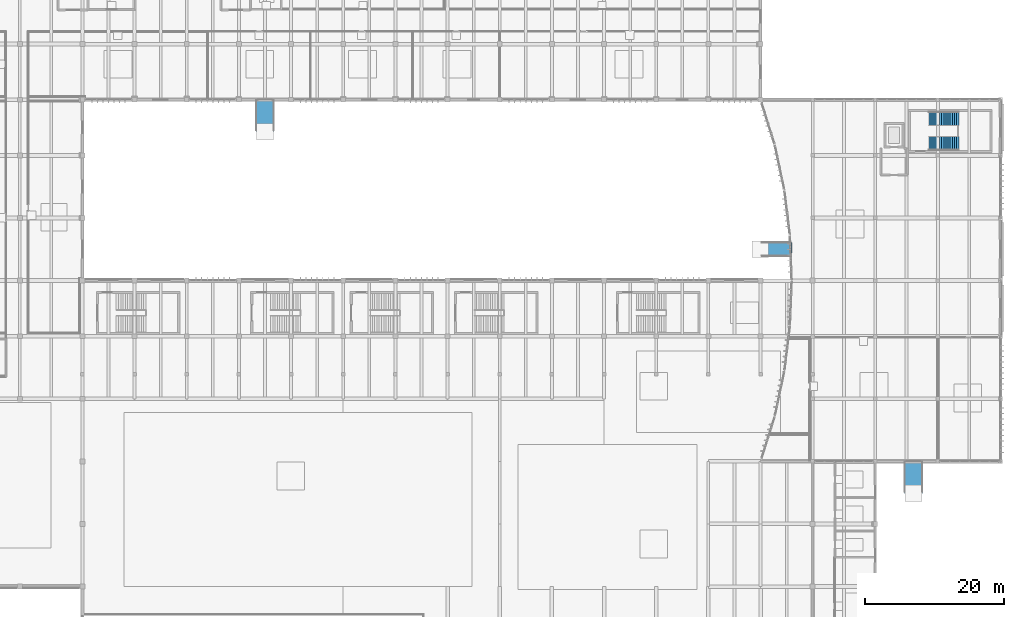
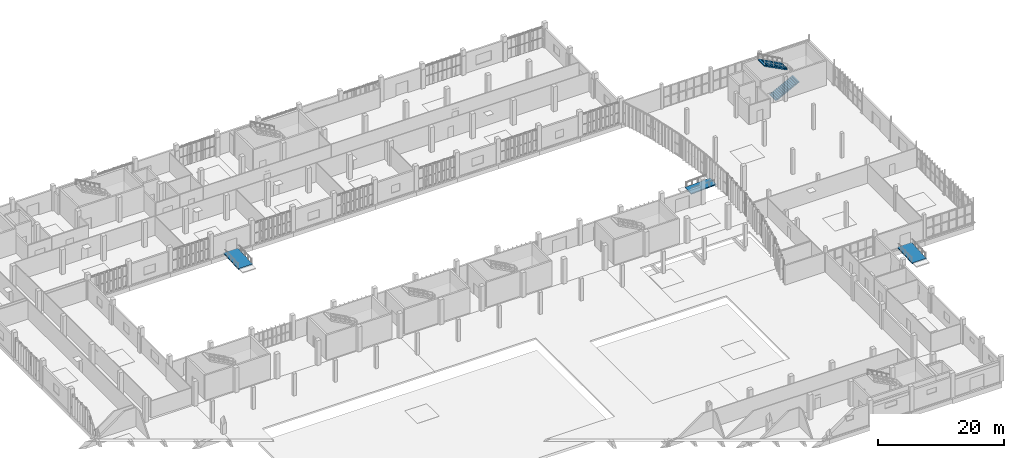
# One storey, part 54 of 72: 3 ramp flights, 2 stair flights, 4 elements without a shape of their own.
"""IFC4 building model written with IfcOpenShell, lengths in metres."""

from ifc_helpers import new_model, si_unit, direction, frame, origin, place, context, subcontext, project, spatial, polyline, outline, extrude, material, layer, layer_set, type_object, element, aggregate, save


model = new_model("IFC4")

# Units and contexts
model_context = context("Model", 3, precision=1e-05, world=origin(), true_north=direction((0.0, 1.0)))
body_context = subcontext(model_context, "Body", "Model", "MODEL_VIEW")
ifc_project = project(units=[si_unit("LENGTHUNIT", "METRE"), si_unit("AREAUNIT", "SQUARE_METRE"), si_unit("VOLUMEUNIT", "CUBIC_METRE"), si_unit("PLANEANGLEUNIT", "RADIAN"), si_unit("MASSUNIT", "GRAM", prefix="KILO")], contexts=[model_context])

# Site, building, storey
site_placement = place(None, origin())
site = spatial("IfcSite", under=ifc_project, at=site_placement, CompositionType="ELEMENT")
building_placement = place(site_placement, origin())
building = spatial("IfcBuilding", under=site, at=building_placement, Name="Vourika Railside Aquatics Centre", CompositionType="ELEMENT")
storey_placement = place(building_placement, origin())
storey = spatial("IfcBuildingStorey", under=building, at=storey_placement, Name="L00", CompositionType="ELEMENT", Elevation=0.0)

# Stair, stair flights
ifc_material = material(Name="Concrete C35/45", Category="concrete")
stair_type = type_object("IfcStairType", Name="STR-CORE-L00", PredefinedType="TWO_STRAIGHT_RUN_STAIR", material=ifc_material)
stair_placement = place(storey_placement, origin())
stair = element("IfcStair", 1, at=stair_placement, inside=storey, type_object=stair_type, Name="Protected Exit Stair Core ST05 (L00)", PredefinedType="TWO_STRAIGHT_RUN_STAIR")
stair_flight_type = type_object("IfcStairFlightType", Name="STF-CORE-L00", PredefinedType="STRAIGHT", material=ifc_material)
stair_flight_1_placement = place(storey_placement, frame((157.699951171875, 85.719970703125, 0.0), z_axis=(0.0, 0.0, 1.0), x_axis=(1.0, 0.0, 0.0)))
stair_flight_1 = element("IfcStairFlight", 2, at=stair_flight_1_placement, type_object=stair_flight_type, Name="STC-L00 flight 1", NumberOfRisers=15, NumberOfTreads=14, PredefinedType="STRAIGHT", RiserHeight=0.16, TreadLength=0.308, context=body_context, shape_type="SweptSolid", body=[
    extrude(outline(polyline([(0.0, 0.0), (0.0, 0.159912109375), (0.30810546875, 0.159912109375), (0.30810546875, 0.320068359375), (0.615966796875, 0.320068359375), (0.615966796875, 0.47998046875), (0.924072265625, 0.47998046875), (0.924072265625, 0.639892578125), (1.23193359375, 0.639892578125), (1.23193359375, 0.800048828125), (1.5400390625, 0.800048828125), (1.5400390625, 0.9599609375), (1.847900390625, 0.9599609375), (1.847900390625, 1.1201171875), (2.156005859375, 1.1201171875), (2.156005859375, 1.280029296875), (2.464111328125, 1.280029296875), (2.464111328125, 1.43994140625), (2.77197265625, 1.43994140625), (2.77197265625, 1.60009765625), (3.080078125, 1.60009765625), (3.080078125, 1.760009765625), (3.387939453125, 1.760009765625), (3.387939453125, 1.919921875), (3.696044921875, 1.919921875), (3.696044921875, 2.080078125), (4.00390625, 2.080078125), (4.00390625, 2.239990234375), (4.31201171875, 2.239990234375), (4.31201171875, 2.39990234375), (4.31201171875, 2.059814453125), (0.346923828125, 0.0), (0.0, 0.0)])), frame((0.0, 1.0, 0.0), z_axis=(0.0, -1.0, 0.0), x_axis=(1.0, 0.0, 0.0)), (0.0, 0.0, 1.0), 2.0),
])
stair_flight_2_placement = place(storey_placement, frame((162.011962890625, 89.280029296875, 2.39990234375), z_axis=(0.0, 0.0, 1.0), x_axis=(-1.0, 0.0, 0.0)))
stair_flight_2 = element("IfcStairFlight", 3, at=stair_flight_2_placement, type_object=stair_flight_type, Name="STC-L00 flight 2", NumberOfRisers=15, NumberOfTreads=14, PredefinedType="STRAIGHT", RiserHeight=0.16, TreadLength=0.308, context=body_context, shape_type="SweptSolid", body=[
    extrude(outline(polyline([(0.0, 0.0), (0.0, 0.159912109375), (0.30810546875, 0.159912109375), (0.30810546875, 0.320068359375), (0.615966796875, 0.320068359375), (0.615966796875, 0.47998046875), (0.924072265625, 0.47998046875), (0.924072265625, 0.639892578125), (1.23193359375, 0.639892578125), (1.23193359375, 0.800048828125), (1.5400390625, 0.800048828125), (1.5400390625, 0.9599609375), (1.847900390625, 0.9599609375), (1.847900390625, 1.1201171875), (2.156005859375, 1.1201171875), (2.156005859375, 1.280029296875), (2.464111328125, 1.280029296875), (2.464111328125, 1.43994140625), (2.77197265625, 1.43994140625), (2.77197265625, 1.60009765625), (3.080078125, 1.60009765625), (3.080078125, 1.760009765625), (3.387939453125, 1.760009765625), (3.387939453125, 1.919921875), (3.696044921875, 1.919921875), (3.696044921875, 2.080078125), (4.00390625, 2.080078125), (4.00390625, 2.239990234375), (4.31201171875, 2.239990234375), (4.31201171875, 2.39990234375), (4.31201171875, 2.059814453125), (0.346923828125, 0.0), (0.0, 0.0)])), frame((0.0, 1.0, 0.0), z_axis=(0.0, -1.0, 0.0), x_axis=(1.0, 0.0, 0.0)), (0.0, 0.0, 1.0), 2.0),
])
aggregate(stair, [stair_flight_1, stair_flight_2])

# Ramp, ramp flight
ramp_type = type_object("IfcRampType", Name="RMP-ACC-200", PredefinedType="STRAIGHT_RUN_RAMP", material=ifc_material)
ramp_1_placement = place(storey_placement, origin())
ramp_1 = element("IfcRamp", 4, at=ramp_1_placement, inside=storey, type_object=ramp_type, Name="East Arrival Forecourt Accessible Ramp AR1", PredefinedType="STRAIGHT_RUN_RAMP")
ifc_layer = layer(ifc_material, 0.199951171875, Name="RMF-ACC-200")
ifc_layer_set = layer_set([ifc_layer], Name="Concrete C35/45")
ramp_flight_type = type_object("IfcRampFlightType", Name="RMF-ACC-200", PredefinedType="STRAIGHT", material=ifc_layer_set)
ramp_flight_1_placement = place(storey_placement, frame((155.5, 35.39990234375, -0.25), z_axis=(0.0, 0.0, 1.0), x_axis=(0.0, 1.0, 0.0)))
ramp_flight_1 = element("IfcRampFlight", 5, at=ramp_flight_1_placement, type_object=ramp_flight_type, Name="East Arrival Forecourt Accessible Ramp AR1 Flight", PredefinedType="STRAIGHT", context=body_context, shape_type="SweptSolid", body=[
    extrude(outline(polyline([(0.0, 0.0), (4.72021484375, 0.25), (4.72021484375, 0.050048828125), (0.0, -0.199951171875), (0.0, 0.0)])), frame((0.0, 1.300048828125, 0.0), z_axis=(0.0, -1.0, 0.0), x_axis=(1.0, 0.0, 0.0)), (0.0, 0.0, 1.0), 2.60009765625),
])
aggregate(ramp_1, [ramp_flight_1])

ramp_2_placement = place(storey_placement, origin())
ramp_2 = element("IfcRamp", 6, at=ramp_2_placement, inside=storey, type_object=ramp_type, Name="Monsoon Courtyard Clinic Accessible Ramp AR2", PredefinedType="STRAIGHT_RUN_RAMP")
ramp_flight_2_placement = place(storey_placement, frame((62.25, 87.39990234375, -0.25), z_axis=(0.0, 0.0, 1.0), x_axis=(0.0, 1.0, 0.0)))
ramp_flight_2 = element("IfcRampFlight", 7, at=ramp_flight_2_placement, type_object=ramp_flight_type, Name="Monsoon Courtyard Clinic Accessible Ramp AR2 Flight", PredefinedType="STRAIGHT", context=body_context, shape_type="SweptSolid", body=[
    extrude(outline(polyline([(0.0, 0.0), (4.72021484375, 0.25), (4.72021484375, 0.050048828125), (0.0, -0.199951171875), (0.0, 0.0)])), frame((0.0, 1.300048828125, 0.0), z_axis=(0.0, -1.0, 0.0), x_axis=(1.0, 0.0, 0.0)), (0.0, 0.0, 1.0), 2.60009765625),
])
aggregate(ramp_2, [ramp_flight_2])

ramp_3_placement = place(storey_placement, origin())
ramp_3 = element("IfcRamp", 8, at=ramp_3_placement, inside=storey, type_object=ramp_type, Name="Monsoon Courtyard Foyer Accessible Ramp AR3", PredefinedType="STRAIGHT_RUN_RAMP")
ramp_flight_3_placement = place(storey_placement, frame((133.47998046875, 70.5, -0.219970703125), z_axis=(0.0, 0.0, 1.0), x_axis=(1.0, 0.0, 0.0)))
ramp_flight_3 = element("IfcRampFlight", 9, at=ramp_flight_3_placement, type_object=ramp_flight_type, Name="Monsoon Courtyard Foyer Accessible Ramp AR3 Flight", PredefinedType="STRAIGHT", context=body_context, shape_type="SweptSolid", body=[
    extrude(outline(polyline([(0.0, 0.0), (4.580078125, 0.219970703125), (4.580078125, 0.02001953125), (0.0, -0.199951171875), (0.0, 0.0)])), frame((0.0, 1.0, 0.0), z_axis=(0.0, -1.0, 0.0), x_axis=(1.0, 0.0, 0.0)), (0.0, 0.0, 1.0), 2.0),
])
aggregate(ramp_3, [ramp_flight_3])

save(model, "model.ifc")
